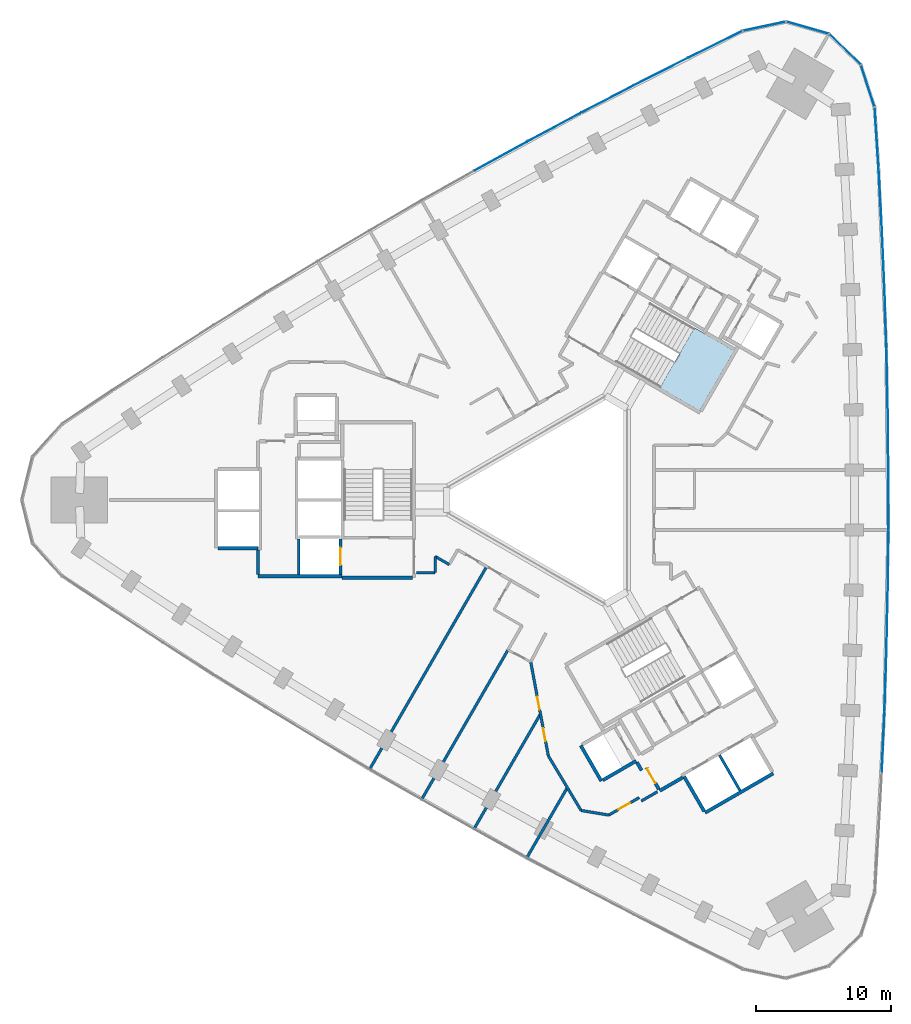
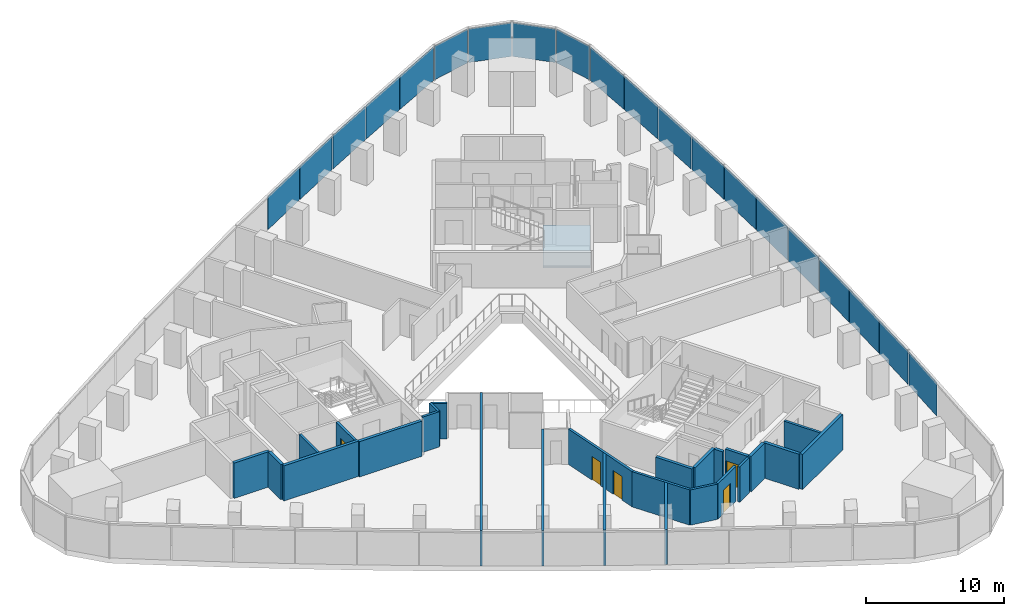
# One storey, part 8 of 13: 26 walls, 20 plates, 5 doors, 1 slab, 5 openings, 3 elements without a shape of their own.
"""IFC4 building model written with IfcOpenShell, lengths in metres."""

from ifc_helpers import new_model, si_unit, direction, frame, frame_2d, origin, origin_2d, place, context, subcontext, project, spatial, polyline, rectangle, outline, extrude, material, layer, layer_set, type_object, element, fill, aggregate, save


model = new_model("IFC4")

# Units and contexts
model_context = context("Model", 3, precision=1e-05, world=origin(), true_north=direction((0.0, 1.0)))
body_context = subcontext(model_context, "Body", "Model", "MODEL_VIEW")
ifc_project = project(units=[si_unit("LENGTHUNIT", "METRE"), si_unit("AREAUNIT", "SQUARE_METRE"), si_unit("VOLUMEUNIT", "CUBIC_METRE"), si_unit("PLANEANGLEUNIT", "RADIAN"), si_unit("MASSUNIT", "GRAM", prefix="KILO")], contexts=[model_context])

# Site, building, storey
site_placement = place(None, origin())
site = spatial("IfcSite", under=ifc_project, at=site_placement, CompositionType="ELEMENT")
building_placement = place(site_placement, origin())
building = spatial("IfcBuilding", under=site, at=building_placement, Name="Tamra Quay Hotel Tower", CompositionType="ELEMENT")
storey_placement = place(building_placement, frame((0.0, 0.0, 49.39990234375)))
storey = spatial("IfcBuildingStorey", under=building, at=storey_placement, Name="L10", CompositionType="ELEMENT", Elevation=49.39990234375)

# Stair, slab
ifc_material_1 = material(Name="Exit stair 2200 24 risers 150.0 going 342")
stair_type = type_object("IfcStairType", Name="Exit stair 2200 24 risers 150.0 going 342", PredefinedType="HALF_TURN_STAIR", material=ifc_material_1)
stair_placement = place(storey_placement, origin())
stair = element("IfcStair", 1, at=stair_placement, inside=storey, type_object=stair_type, Name="L10 Exit stair ST1", PredefinedType="HALF_TURN_STAIR")
ifc_material_2 = material(Name="Concrete M70", Category="concrete")
ifc_layer_1 = layer(ifc_material_2, 0.175048828125)
ifc_layer_set_1 = layer_set([ifc_layer_1], Name="Concrete M70 stair landing 180")
slab_type = type_object("IfcSlabType", Name="Concrete M70 stair landing 180", PredefinedType="LANDING", material=ifc_layer_set_1)
slab_placement = place(storey_placement, frame((0.0, 0.0, 1.625)))
slab = element("IfcSlab", 2, at=slab_placement, type_object=slab_type, Name="ST1 landing 1", PredefinedType="LANDING", context=body_context, shape_type="SweptSolid", body=[
    extrude(outline(polyline([(7.425048828125, 8.336669921875), (10.385009765625, 6.627685546875), (12.964599609375, 11.095458984375), (10.00439453125, 12.804443359375), (7.425048828125, 8.336669921875)])), origin(), (0.0, 0.0, 1.0), 0.175048828125),
])
aggregate(stair, [slab])

# Curtain wall, plates
ifc_material_3 = material(Name="Aluminium 6063 anodised dark grey", Category="aluminium")
curtain_wall_type_1 = type_object("IfcCurtainWallType", Name="CW1 CURTAIN WALL", PredefinedType="NOTDEFINED", material=ifc_material_3)
curtain_wall_1_placement = place(storey_placement, origin())
curtain_wall_1 = element("IfcCurtainWall", 3, at=curtain_wall_1_placement, inside=storey, type_object=curtain_wall_type_1, Name="CW1 east face L10", PredefinedType="NOTDEFINED")
ifc_material_4 = material(Name="Glass clear laminated low-iron", Category="glass")
ifc_layer_2 = layer(ifc_material_4, 0.035888671875)
ifc_layer_set_2 = layer_set([ifc_layer_2], Name="GLASS PANEL CW1 Z1")
plate_type_1 = type_object("IfcPlateType", Name="GLASS PANEL CW1 Z1", PredefinedType="CURTAIN_PANEL", material=ifc_layer_set_2)
plate_1_placement = place(storey_placement, frame((24.04052734375, -17.985107421875, 0.0), z_axis=(0.0, 0.0, 1.0), x_axis=(0.043285462035, 0.999062745165, 0.0)))
plate_1 = element("IfcPlate", 4, at=plate_1_placement, type_object=plate_type_1, Name="CW1 glass L10.E.3", PredefinedType="CURTAIN_PANEL", context=body_context, shape_type="SweptSolid", body=[
    extrude(rectangle(XDim=4.397216796875, YDim=0.035888671875, at=origin_2d()), origin(), (0.0, 0.0, 1.0), 2.985107421875),
])
plate_2_placement = place(storey_placement, frame((24.2109375, -13.490966796875, 0.0), z_axis=(0.0, 0.0, 1.0), x_axis=(0.032474799035, 0.999472554615, 0.0)))
plate_2 = element("IfcPlate", 5, at=plate_2_placement, type_object=plate_type_1, Name="CW1 glass L10.E.4", PredefinedType="CURTAIN_PANEL", context=body_context, shape_type="SweptSolid", body=[
    extrude(rectangle(XDim=4.397216796875, YDim=0.035888671875, at=origin_2d()), origin(), (0.0, 0.0, 1.0), 2.985107421875),
])
plate_3_placement = place(storey_placement, frame((24.332763671875, -8.99462890625, 0.0), z_axis=(0.0, 0.0, 1.0), x_axis=(0.021657440572, 0.999765450127, 0.0)))
plate_3 = element("IfcPlate", 6, at=plate_3_placement, type_object=plate_type_1, Name="CW1 glass L10.E.5", PredefinedType="CURTAIN_PANEL", context=body_context, shape_type="SweptSolid", body=[
    extrude(rectangle(XDim=4.39892578125, YDim=0.035888671875, at=origin_2d()), origin(), (0.0, 0.0, 1.0), 2.985107421875),
])
plate_4_placement = place(storey_placement, frame((24.40576171875, -4.4970703125, 0.0), z_axis=(0.0, 0.0, 1.0), x_axis=(0.010835825783, 0.999941290716, 0.0)))
plate_4 = element("IfcPlate", 7, at=plate_4_placement, type_object=plate_type_1, Name="CW1 glass L10.E.6", PredefinedType="CURTAIN_PANEL", context=body_context, shape_type="SweptSolid", body=[
    extrude(rectangle(XDim=4.397216796875, YDim=0.035888671875, at=origin_2d()), origin(), (0.0, 0.0, 1.0), 2.985107421875),
])
plate_5_placement = place(storey_placement, frame((24.43017578125, 0.0, 0.0), z_axis=(0.0, 0.0, 1.0), x_axis=(0.0, 1.0, 0.0)))
plate_5 = element("IfcPlate", 8, at=plate_5_placement, type_object=plate_type_1, Name="CW1 glass L10.E.7", PredefinedType="CURTAIN_PANEL", context=body_context, shape_type="SweptSolid", body=[
    extrude(rectangle(XDim=4.397216796875, YDim=0.035888671875, at=origin_2d()), origin(), (0.0, 0.0, 1.0), 2.985107421875),
])
plate_6_placement = place(storey_placement, frame((24.40576171875, 4.4970703125, 0.0), z_axis=(0.0, 0.0, 1.0), x_axis=(-0.010835825783, 0.999941290716, 0.0)))
plate_6 = element("IfcPlate", 9, at=plate_6_placement, type_object=plate_type_1, Name="CW1 glass L10.E.8", PredefinedType="CURTAIN_PANEL", context=body_context, shape_type="SweptSolid", body=[
    extrude(rectangle(XDim=4.397216796875, YDim=0.035888671875, at=origin_2d()), origin(), (0.0, 0.0, 1.0), 2.985107421875),
])
plate_7_placement = place(storey_placement, frame((24.332763671875, 8.99462890625, 0.0), z_axis=(0.0, 0.0, 1.0), x_axis=(-0.021657440572, 0.999765450127, 0.0)))
plate_7 = element("IfcPlate", 10, at=plate_7_placement, type_object=plate_type_1, Name="CW1 glass L10.E.9", PredefinedType="CURTAIN_PANEL", context=body_context, shape_type="SweptSolid", body=[
    extrude(rectangle(XDim=4.39892578125, YDim=0.035888671875, at=origin_2d()), origin(), (0.0, 0.0, 1.0), 2.985107421875),
])
plate_8_placement = place(storey_placement, frame((24.2109375, 13.490966796875, 0.0), z_axis=(0.0, 0.0, 1.0), x_axis=(-0.032474799035, 0.999472554615, 0.0)))
plate_8 = element("IfcPlate", 11, at=plate_8_placement, type_object=plate_type_1, Name="CW1 glass L10.E.10", PredefinedType="CURTAIN_PANEL", context=body_context, shape_type="SweptSolid", body=[
    extrude(rectangle(XDim=4.397216796875, YDim=0.035888671875, at=origin_2d()), origin(), (0.0, 0.0, 1.0), 2.985107421875),
])
plate_9_placement = place(storey_placement, frame((24.04052734375, 17.985107421875, 0.0), z_axis=(0.0, 0.0, 1.0), x_axis=(-0.043285462035, 0.999062745165, 0.0)))
plate_9 = element("IfcPlate", 12, at=plate_9_placement, type_object=plate_type_1, Name="CW1 glass L10.E.11", PredefinedType="CURTAIN_PANEL", context=body_context, shape_type="SweptSolid", body=[
    extrude(rectangle(XDim=4.397216796875, YDim=0.035888671875, at=origin_2d()), origin(), (0.0, 0.0, 1.0), 2.985107421875),
])
plate_10_placement = place(storey_placement, frame((23.821533203125, 22.477783203125, 0.0), z_axis=(0.0, 0.0, 1.0), x_axis=(-0.054062119595, 0.998537574268, 0.0)))
plate_10 = element("IfcPlate", 13, at=plate_10_placement, type_object=plate_type_1, Name="CW1 glass L10.E.12", PredefinedType="CURTAIN_PANEL", context=body_context, shape_type="SweptSolid", body=[
    extrude(rectangle(XDim=4.39892578125, YDim=0.035888671875, at=origin_2d()), origin(), (0.0, 0.0, 1.0), 2.985107421875),
])
plate_11_placement = place(storey_placement, frame((23.55419921875, 26.96728515625, 0.0), z_axis=(0.0, 0.0, 1.0), x_axis=(-0.064813097616, 0.997897420769, 0.0)))
plate_11 = element("IfcPlate", 14, at=plate_11_placement, type_object=plate_type_1, Name="CW1 glass L10.E.13", PredefinedType="CURTAIN_PANEL", context=body_context, shape_type="SweptSolid", body=[
    extrude(rectangle(XDim=4.396484375, YDim=0.035888671875, at=origin_2d()), origin(), (0.0, 0.0, 1.0), 2.985107421875),
])
plate_12_placement = place(storey_placement, frame((22.8974609375, 30.783447265625, 0.0), z_axis=(0.0, 0.0, 1.0), x_axis=(-0.309040551826, 0.951048861693, 0.0)))
plate_12 = element("IfcPlate", 15, at=plate_12_placement, type_object=plate_type_1, Name="CW1 glass L10.E.14", PredefinedType="CURTAIN_PANEL", context=body_context, shape_type="SweptSolid", body=[
    extrude(rectangle(XDim=3.207275390625, YDim=0.035888671875, at=origin_2d()), origin(), (0.0, 0.0, 1.0), 2.985107421875),
])
plate_13_placement = place(storey_placement, frame((21.197021484375, 33.5048828125, 0.0), z_axis=(0.0, 0.0, 1.0), x_axis=(-0.719345535851, 0.694652431113, 0.0)))
plate_13 = element("IfcPlate", 16, at=plate_13_placement, type_object=plate_type_1, Name="CW1 glass L10.E.15", PredefinedType="CURTAIN_PANEL", context=body_context, shape_type="SweptSolid", body=[
    extrude(rectangle(XDim=3.207275390625, YDim=0.035888671875, at=origin_2d()), origin(), (0.0, 0.0, 1.0), 2.985107421875),
])
plate_14_placement = place(storey_placement, frame((18.417724609375, 35.109619140625, 0.0), z_axis=(0.0, 0.0, 1.0), x_axis=(-0.96125942007, 0.275645292589, 0.0)))
plate_14 = element("IfcPlate", 17, at=plate_14_placement, type_object=plate_type_1, Name="CW1 glass L10.E.16", PredefinedType="CURTAIN_PANEL", context=body_context, shape_type="SweptSolid", body=[
    extrude(rectangle(XDim=3.207275390625, YDim=0.035888671875, at=origin_2d()), origin(), (0.0, 0.0, 1.0), 2.985107421875),
])
plate_15_placement = place(storey_placement, frame((15.210693359375, 35.2216796875, 0.0), z_axis=(0.0, 0.0, 1.0), x_axis=(-0.978152750379, -0.207887462165, 0.0)))
plate_15 = element("IfcPlate", 18, at=plate_15_placement, type_object=plate_type_1, Name="CW1 glass L10.E.17", PredefinedType="CURTAIN_PANEL", context=body_context, shape_type="SweptSolid", body=[
    extrude(rectangle(XDim=3.207275390625, YDim=0.035888671875, at=origin_2d()), origin(), (0.0, 0.0, 1.0), 2.985107421875),
])
aggregate(curtain_wall_1, [plate_1, plate_2, plate_3, plate_4, plate_5, plate_6, plate_7, plate_8, plate_9, plate_10, plate_11, plate_12, plate_13, plate_14, plate_15])

curtain_wall_type_2 = type_object("IfcCurtainWallType", Name="CW2 CURTAIN WALL", PredefinedType="NOTDEFINED", material=ifc_material_3)
curtain_wall_2_placement = place(storey_placement, origin())
curtain_wall_2 = element("IfcCurtainWall", 19, at=curtain_wall_2_placement, inside=storey, type_object=curtain_wall_type_2, Name="CW2 north-west face L10", PredefinedType="NOTDEFINED")
ifc_layer_3 = layer(ifc_material_4, 0.035888671875)
ifc_layer_set_3 = layer_set([ifc_layer_3], Name="GLASS PANEL CW2 Z1")
plate_type_2 = type_object("IfcPlateType", Name="GLASS PANEL CW2 Z1", PredefinedType="CURTAIN_PANEL", material=ifc_layer_set_3)
plate_16_placement = place(storey_placement, frame((11.5771484375, 33.88232421875, 0.0), z_axis=(0.0, 0.0, 1.0), x_axis=(-0.896611065565, -0.442818921351, 0.0)))
plate_16 = element("IfcPlate", 20, at=plate_16_placement, type_object=plate_type_2, Name="CW2 glass L10.NW.1", PredefinedType="CURTAIN_PANEL", context=body_context, shape_type="SweptSolid", body=[
    extrude(rectangle(XDim=4.396484375, YDim=0.035888671875, at=origin_2d()), origin(), (0.0, 0.0, 1.0), 2.985107421875),
])
plate_17_placement = place(storey_placement, frame((7.555419921875, 31.868896484375, 0.0), z_axis=(0.0, 0.0, 1.0), x_axis=(-0.891789965747, -0.452449618182, 0.0)))
plate_17 = element("IfcPlate", 21, at=plate_17_placement, type_object=plate_type_2, Name="CW2 glass L10.NW.2", PredefinedType="CURTAIN_PANEL", context=body_context, shape_type="SweptSolid", body=[
    extrude(rectangle(XDim=4.39892578125, YDim=0.035888671875, at=origin_2d()), origin(), (0.0, 0.0, 1.0), 2.985107421875),
])
plate_18_placement = place(storey_placement, frame((3.55517578125, 29.812255859375, 0.0), z_axis=(0.0, 0.0, 1.0), x_axis=(-0.886856448305, -0.462045062846, 0.0)))
plate_18 = element("IfcPlate", 22, at=plate_18_placement, type_object=plate_type_2, Name="CW2 glass L10.NW.3", PredefinedType="CURTAIN_PANEL", context=body_context, shape_type="SweptSolid", body=[
    extrude(rectangle(XDim=4.397216796875, YDim=0.035888671875, at=origin_2d()), origin(), (0.0, 0.0, 1.0), 2.985107421875),
])
plate_19_placement = place(storey_placement, frame((-0.421875, 27.712890625, 0.0), z_axis=(0.0, 0.0, 1.0), x_axis=(-0.881806022199, -0.47161227636, 0.0)))
plate_19 = element("IfcPlate", 23, at=plate_19_placement, type_object=plate_type_2, Name="CW2 glass L10.NW.4", PredefinedType="CURTAIN_PANEL", context=body_context, shape_type="SweptSolid", body=[
    extrude(rectangle(XDim=4.397216796875, YDim=0.035888671875, at=origin_2d()), origin(), (0.0, 0.0, 1.0), 2.985107421875),
])
plate_20_placement = place(storey_placement, frame((-4.376708984375, 25.570068359375, 0.0), z_axis=(0.0, 0.0, 1.0), x_axis=(-0.876650997922, -0.481126831347, 0.0)))
plate_20 = element("IfcPlate", 24, at=plate_20_placement, type_object=plate_type_2, Name="CW2 glass L10.NW.5", PredefinedType="CURTAIN_PANEL", context=body_context, shape_type="SweptSolid", body=[
    extrude(rectangle(XDim=4.39892578125, YDim=0.035888671875, at=origin_2d()), origin(), (0.0, 0.0, 1.0), 2.985107421875),
])
aggregate(curtain_wall_2, [plate_16, plate_17, plate_18, plate_19, plate_20])

# Wall, opening, door
ifc_layer_4 = layer(ifc_material_2, 0.199951171875)
ifc_layer_set_4 = layer_set([ifc_layer_4], Name="Concrete M70 core wall 200")
wall_type_1 = type_object("IfcWallType", Name="Concrete M70 core wall 200", PredefinedType="SHEAR", material=ifc_layer_set_4)
wall_1_placement = place(storey_placement, frame((-16.312255859375, -2.898193359375, 0.0), z_axis=(0.0, 0.0, 1.0), x_axis=(0.0, -1.0, 0.0)))
wall_1 = element("IfcWall", 25, at=wall_1_placement, inside=storey, type_object=wall_type_1, Name="CW2", PredefinedType="SHEAR", context=body_context, shape_type="SweptSolid", body=[
    extrude(rectangle(XDim=2.65087890625, YDim=0.199951171875, at=frame_2d((1.325439453125, 0.0))), origin(), (0.0, 0.0, 1.0), 3.125),
])
opening_1_placement = place(wall_1_placement, frame((0.65185546875, 0.0, 0.0)))
opening_1 = element("IfcOpeningElement", 26, at=opening_1_placement, cuts=wall_1, Name="Opening LD", PredefinedType="OPENING", context=body_context, shape_type="SweptSolid", body=[
    extrude(rectangle(XDim=1.300048828125, YDim=2.10009765625, at=frame_2d((0.64990234375, 1.050048828125))), frame((0.0, 0.10986328125, 0.0), z_axis=(0.0, -1.0, 0.0), x_axis=(1.0, 0.0, 0.0)), (0.0, 0.0, 1.0), 0.219970703125),
])
ifc_material_5 = material(Name="Landing door LD 1300 sliding to right")
door_type_1 = type_object("IfcDoorType", Name="Landing door LD 1300 sliding to right", OperationType="NOTDEFINED", PredefinedType="DOOR", material=ifc_material_5)
door_1_placement = place(opening_1_placement, origin())
door_1 = element("IfcDoor", 27, at=door_1_placement, inside=storey, type_object=door_type_1, Name="LD", OperationType="SLIDING_TO_RIGHT", OverallHeight=2.10009765625, OverallWidth=1.300048828125, PredefinedType="DOOR", context=body_context, shape_type="SweptSolid", body=[
    extrude(rectangle(XDim=1.300048828125, YDim=2.10009765625, at=frame_2d((0.64990234375, 1.050048828125))), frame((0.0, 0.02490234375, 0.0), z_axis=(0.0, -1.0, 0.0), x_axis=(1.0, 0.0, 0.0)), (0.0, 0.0, 1.0), 0.050048828125),
])
fill(opening_1, door_1)

# Walls
wall_2_placement = place(storey_placement, frame((-19.412353515625, -5.549072265625, 0.0), z_axis=(0.0, 0.0, 1.0), x_axis=(0.0, 1.0, 0.0)))
element("IfcWall", 28, at=wall_2_placement, inside=storey, type_object=wall_type_1, Name="CW2", PredefinedType="SHEAR", context=body_context, shape_type="SweptSolid", body=[
    extrude(rectangle(XDim=2.65087890625, YDim=0.199951171875, at=frame_2d((1.325439453125, 0.0))), origin(), (0.0, 0.0, 1.0), 3.125),
])
wall_3_placement = place(storey_placement, frame((11.87451171875, -18.967041015625, 0.0), z_axis=(0.0, 0.0, 1.0), x_axis=(0.49998131003, -0.866036194175, 0.0)))
element("IfcWall", 29, at=wall_3_placement, inside=storey, type_object=wall_type_1, Name="CW2", PredefinedType="SHEAR", context=body_context, shape_type="SweptSolid", body=[
    extrude(rectangle(XDim=3.0478515625, YDim=0.199951171875, at=frame_2d((1.52392578125, 0.0))), origin(), (0.0, 0.0, 1.0), 3.125),
])
ifc_layer_5 = layer(ifc_material_2, 0.25)
ifc_layer_set_5 = layer_set([ifc_layer_5], Name="Concrete M70 core wall 250")
wall_type_2 = type_object("IfcWallType", Name="Concrete M70 core wall 250", PredefinedType="SHEAR", material=ifc_layer_set_5)
wall_4_placement = place(storey_placement, frame((-16.187255859375, -5.675048828125, 0.0), z_axis=(0.0, 0.0, 1.0), x_axis=(-1.0, 0.0, 0.0)))
element("IfcWall", 30, at=wall_4_placement, inside=storey, type_object=wall_type_2, Name="CW1", PredefinedType="SHEAR", context=body_context, shape_type="SweptSolid", body=[
    extrude(rectangle(XDim=6.25, YDim=0.25, at=frame_2d((3.125, 0.0))), origin(), (0.0, 0.0, 1.0), 3.125),
])
wall_5_placement = place(storey_placement, frame((-10.962646484375, -5.77490234375, 0.0), z_axis=(0.0, 0.0, 1.0), x_axis=(-1.0, 0.0, 0.0)))
element("IfcWall", 31, at=wall_5_placement, inside=storey, type_object=wall_type_2, Name="CW1", PredefinedType="SHEAR", context=body_context, shape_type="SweptSolid", body=[
    extrude(rectangle(XDim=5.224609375, YDim=0.25, at=frame_2d((2.6123046875, 0.0))), origin(), (0.0, 0.0, 1.0), 3.125),
])
wall_6_placement = place(storey_placement, frame((-22.437255859375, -3.574951171875, 0.0), z_axis=(0.0, 0.0, 1.0), x_axis=(-1.0, 0.0, 0.0)))
element("IfcWall", 32, at=wall_6_placement, inside=storey, type_object=wall_type_2, Name="CW1", PredefinedType="SHEAR", context=body_context, shape_type="SweptSolid", body=[
    extrude(rectangle(XDim=2.974609375, YDim=0.25, at=frame_2d((1.4873046875, 0.0))), origin(), (0.0, 0.0, 1.0), 3.125),
])
wall_7_placement = place(storey_placement, frame((-22.437255859375, -5.549560546875, 0.0), z_axis=(0.0, 0.0, 1.0), x_axis=(0.0, 1.0, 0.0)))
element("IfcWall", 33, at=wall_7_placement, inside=storey, type_object=wall_type_2, Name="CW1", PredefinedType="SHEAR", context=body_context, shape_type="SweptSolid", body=[
    extrude(rectangle(XDim=1.84912109375, YDim=0.25, at=frame_2d((0.924560546875, 0.0))), origin(), (0.0, 0.0, 1.0), 3.125),
])
wall_8_placement = place(storey_placement, frame((15.86474609375, -20.328369140625, 0.0), z_axis=(0.0, 0.0, 1.0), x_axis=(-0.86602852612, -0.499994591916, 0.0)))
element("IfcWall", 34, at=wall_8_placement, inside=storey, type_object=wall_type_2, Name="CW1", PredefinedType="SHEAR", context=body_context, shape_type="SweptSolid", body=[
    extrude(rectangle(XDim=5.85009765625, YDim=0.25, at=frame_2d((2.925048828125, 0.0))), origin(), (0.0, 0.0, 1.0), 3.125),
])
wall_9_placement = place(storey_placement, frame((10.73583984375, -23.144775390625, 0.0), z_axis=(0.0, 0.0, 1.0), x_axis=(-0.500023226632, 0.866011993467, 0.0)))
element("IfcWall", 35, at=wall_9_placement, inside=storey, type_object=wall_type_2, Name="CW1", PredefinedType="SHEAR", context=body_context, shape_type="SweptSolid", body=[
    extrude(rectangle(XDim=2.974365234375, YDim=0.25, at=frame_2d((1.4873046875, 0.0))), origin(), (0.0, 0.0, 1.0), 3.125),
])
wall_10_placement = place(storey_placement, frame((3.085205078125, -20.893798828125, 0.0), z_axis=(0.0, 0.0, 1.0), x_axis=(-0.499978833458, 0.866037623948, 0.0)))
element("IfcWall", 36, at=wall_10_placement, inside=storey, type_object=wall_type_2, Name="CW1", PredefinedType="SHEAR", context=body_context, shape_type="SweptSolid", body=[
    extrude(rectangle(XDim=3.050048828125, YDim=0.25, at=frame_2d((1.52490234375, 0.0))), origin(), (0.0, 0.0, 1.0), 3.125),
])
wall_11_placement = place(storey_placement, frame((5.6748046875, -19.39892578125, 0.0), z_axis=(0.0, 0.0, 1.0), x_axis=(-0.866026637627, -0.499997862916, 0.0)))
element("IfcWall", 37, at=wall_11_placement, inside=storey, type_object=wall_type_2, Name="CW1", PredefinedType="SHEAR", context=body_context, shape_type="SweptSolid", body=[
    extrude(rectangle(XDim=2.86474609375, YDim=0.25, at=frame_2d((1.432373046875, 0.0))), origin(), (0.0, 0.0, 1.0), 3.125),
])
wall_12_placement = place(storey_placement, frame((9.139892578125, -20.63134765625, 0.0), z_axis=(0.0, 0.0, 1.0), x_axis=(-0.866043531843, -0.499968599967, 0.0)))
element("IfcWall", 38, at=wall_12_placement, inside=storey, type_object=wall_type_2, Name="CW1", PredefinedType="SHEAR", context=body_context, shape_type="SweptSolid", body=[
    extrude(rectangle(XDim=1.974853515625, YDim=0.25, at=frame_2d((0.9873046875, 0.0))), origin(), (0.0, 0.0, 1.0), 3.125),
])

# Wall, opening, door
wall_13_placement = place(storey_placement, frame((7.3671875, -21.51025390625, 0.0), z_axis=(0.0, 0.0, 1.0), x_axis=(-0.499983108224, 0.866035156036, 0.0)))
wall_13 = element("IfcWall", 39, at=wall_13_placement, inside=storey, type_object=wall_type_2, Name="CW1", PredefinedType="SHEAR", context=body_context, shape_type="SweptSolid", body=[
    extrude(rectangle(XDim=1.86474609375, YDim=0.25, at=frame_2d((0.932373046875, 0.0))), origin(), (0.0, 0.0, 1.0), 3.125),
])
opening_2_placement = place(wall_13_placement, frame((0.53466796875, 0.0, 0.0)))
opening_2 = element("IfcOpeningElement", 40, at=opening_2_placement, cuts=wall_13, Name="Opening FD3", PredefinedType="OPENING", context=body_context, shape_type="SweptSolid", body=[
    extrude(rectangle(XDim=1.25, YDim=2.10009765625, at=frame_2d((0.625, 1.050048828125))), frame((0.0, 0.135009765625, 0.0), z_axis=(0.0, -1.0, 0.0), x_axis=(1.0, 0.0, 0.0)), (0.0, 0.0, 1.0), 0.27001953125),
])
ifc_material_6 = material(Name="Core door FD3 1250x2100 LH")
door_type_2 = type_object("IfcDoorType", Name="Core door FD3 1250x2100 LH", OperationType="NOTDEFINED", PredefinedType="DOOR", material=ifc_material_6)
door_2_placement = place(opening_2_placement, origin())
door_2 = element("IfcDoor", 41, at=door_2_placement, inside=storey, type_object=door_type_2, Name="FD3", OperationType="SINGLE_SWING_LEFT", OverallHeight=2.10009765625, OverallWidth=1.25, PredefinedType="DOOR", context=body_context, shape_type="SweptSolid", body=[
    extrude(rectangle(XDim=1.25, YDim=2.10009765625, at=frame_2d((0.625, 1.050048828125))), frame((0.0, 0.02490234375, 0.0), z_axis=(0.0, -1.0, 0.0), x_axis=(1.0, 0.0, 0.0)), (0.0, 0.0, 1.0), 0.050048828125),
])
fill(opening_2, door_2)

# Walls
wall_14_placement = place(storey_placement, frame((6.07958984375, -20.100341796875, 0.0), z_axis=(0.0, 0.0, 1.0), x_axis=(-0.500051773299, 0.865995510393, 0.0)))
element("IfcWall", 42, at=wall_14_placement, inside=storey, type_object=wall_type_2, Name="CW1", PredefinedType="SHEAR", context=body_context, shape_type="SweptSolid", body=[
    extrude(rectangle(XDim=0.6845703125, YDim=0.25, at=frame_2d((0.34228515625, 0.0))), origin(), (0.0, 0.0, 1.0), 3.125),
])
ifc_material_7 = material(Name="Partition corridor wall")
ifc_layer_6 = layer(ifc_material_7, 0.199951171875)
ifc_layer_set_6 = layer_set([ifc_layer_6], Name="Partition corridor wall")
wall_type_3 = type_object("IfcWallType", Name="Partition corridor wall", PredefinedType="PARTITIONING", material=ifc_layer_set_6)
wall_15_placement = place(storey_placement, frame((-10.65234375, -5.39990234375, 0.0), z_axis=(0.0, 0.0, 1.0), x_axis=(1.0, 0.0, 0.0)))
element("IfcWall", 43, at=wall_15_placement, inside=storey, type_object=wall_type_3, Name="W-C", PredefinedType="PARTITIONING", context=body_context, shape_type="SweptSolid", body=[
    extrude(rectangle(XDim=1.390380859375, YDim=0.199951171875, at=frame_2d((0.6953125, 0.0))), origin(), (0.0, 0.0, 1.0), 3.125),
])
for number, where, z_axis, x_axis, name in (
    (44, (-9.261962890625, -5.39990234375, 0.0), (0.0, 0.0, 1.0), (0.0, 1.0, 0.0), "W-C"),
    (45, (-9.261962890625, -4.199951171875, 0.0), (0.0, 0.0, 1.0), (0.865955154139, -0.50012165622, 0.0), "W-C"),
):
    element("IfcWall", number, at=place(storey_placement, frame(where, z_axis=z_axis, x_axis=x_axis)), inside=storey, type_object=wall_type_3, Name=name, PredefinedType="PARTITIONING", context=body_context, shape_type="SweptSolid", body=[
        extrude(rectangle(XDim=1.199951171875, YDim=0.199951171875, at=frame_2d((0.60009765625, 0.0))), origin(), (0.0, 0.0, 1.0), 3.125),
    ])

# Wall, openings, doors
wall_16_placement = place(storey_placement, frame((-2.162109375, -12.0419921875, 0.0), z_axis=(0.0, 0.0, 1.0), x_axis=(0.183949825522, -0.982935634561, 0.0)))
wall_16 = element("IfcWall", 46, at=wall_16_placement, inside=storey, type_object=wall_type_3, Name="W-C", PredefinedType="PARTITIONING", context=body_context, shape_type="SweptSolid", body=[
    extrude(rectangle(XDim=7.093994140625, YDim=0.199951171875, at=frame_2d((3.546875, 0.0))), origin(), (0.0, 0.0, 1.0), 3.125),
])
opening_3_placement = place(wall_16_placement, frame((2.64990234375, 0.0, 0.0)))
opening_3 = element("IfcOpeningElement", 47, at=opening_3_placement, cuts=wall_16, Name="Opening L10-D015", PredefinedType="OPENING", context=body_context, shape_type="SweptSolid", body=[
    extrude(rectangle(XDim=0.949951171875, YDim=2.10009765625, at=frame_2d((0.47509765625, 1.050048828125))), frame((0.0, 0.10986328125, 0.0), z_axis=(0.0, -1.0, 0.0), x_axis=(1.0, 0.0, 0.0)), (0.0, 0.0, 1.0), 0.219970703125),
])
opening_4_placement = place(wall_16_placement, frame((5.005859375, 0.0, 0.0)))
opening_4 = element("IfcOpeningElement", 48, at=opening_4_placement, cuts=wall_16, Name="Opening L10-D017", PredefinedType="OPENING", context=body_context, shape_type="SweptSolid", body=[
    extrude(rectangle(XDim=1.0, YDim=2.10009765625, at=frame_2d((0.5, 1.050048828125))), frame((0.0, 0.10986328125, 0.0), z_axis=(0.0, -1.0, 0.0), x_axis=(1.0, 0.0, 0.0)), (0.0, 0.0, 1.0), 0.219970703125),
])
ifc_material_8 = material(Name="Door guest room 1000x2100")
door_type_3 = type_object("IfcDoorType", Name="Door guest room 1000x2100", OperationType="NOTDEFINED", PredefinedType="DOOR", material=ifc_material_8)
door_3_placement = place(opening_4_placement, frame((1.0, 0.0, 0.0), z_axis=(0.0, 0.0, 1.0), x_axis=(-1.0, 0.0, 0.0)))
door_3 = element("IfcDoor", 49, at=door_3_placement, inside=storey, type_object=door_type_3, Name="L10-D017", OperationType="SINGLE_SWING_LEFT", OverallHeight=2.10009765625, OverallWidth=1.0, PredefinedType="DOOR", context=body_context, shape_type="SweptSolid", body=[
    extrude(rectangle(XDim=1.0, YDim=2.10009765625, at=frame_2d((0.5, 1.050048828125))), frame((0.0, 0.02490234375, 0.0), z_axis=(0.0, -1.0, 0.0), x_axis=(1.0, 0.0, 0.0)), (0.0, 0.0, 1.0), 0.050048828125),
])
fill(opening_4, door_3)
ifc_material_9 = material(Name="Door guest room 950x2100")
door_type_4 = type_object("IfcDoorType", Name="Door guest room 950x2100", OperationType="NOTDEFINED", PredefinedType="DOOR", material=ifc_material_9)
door_4_placement = place(opening_3_placement, frame((0.949951171875, 0.0, 0.0), z_axis=(0.0, 0.0, 1.0), x_axis=(-1.0, 0.0, 0.0)))
door_4 = element("IfcDoor", 50, at=door_4_placement, inside=storey, type_object=door_type_4, Name="L10-D015", OperationType="SINGLE_SWING_LEFT", OverallHeight=2.10009765625, OverallWidth=0.949951171875, PredefinedType="DOOR", context=body_context, shape_type="SweptSolid", body=[
    extrude(rectangle(XDim=0.949951171875, YDim=2.10009765625, at=frame_2d((0.47509765625, 1.050048828125))), frame((0.0, 0.02490234375, 0.0), z_axis=(0.0, -1.0, 0.0), x_axis=(1.0, 0.0, 0.0)), (0.0, 0.0, 1.0), 0.050048828125),
])
fill(opening_3, door_4)

# Walls
wall_17_placement = place(storey_placement, frame((-0.85791015625, -19.01708984375, 0.0), z_axis=(0.0, 0.0, 1.0), x_axis=(0.514647068805, -0.857402119528, 0.0)))
element("IfcWall", 51, at=wall_17_placement, inside=storey, type_object=wall_type_3, Name="W-C", PredefinedType="PARTITIONING", context=body_context, shape_type="SweptSolid", body=[
    extrude(rectangle(XDim=4.745361328125, YDim=0.199951171875, at=frame_2d((2.37255859375, 0.0))), origin(), (0.0, 0.0, 1.0), 3.125),
])
wall_18_placement = place(storey_placement, frame((1.583984375, -23.0859375, 0.0), z_axis=(0.0, 0.0, 1.0), x_axis=(0.986633159246, -0.162957077405, 0.0)))
element("IfcWall", 52, at=wall_18_placement, inside=storey, type_object=wall_type_3, Name="W-C", PredefinedType="PARTITIONING", context=body_context, shape_type="SweptSolid", body=[
    extrude(rectangle(XDim=2.0869140625, YDim=0.199951171875, at=frame_2d((1.04345703125, 0.0))), origin(), (0.0, 0.0, 1.0), 3.125),
])

# Wall, opening, door
wall_19_placement = place(storey_placement, frame((3.64306640625, -23.426025390625, 0.0), z_axis=(0.0, 0.0, 1.0), x_axis=(0.866654350985, 0.498909045738, 0.0)))
wall_19 = element("IfcWall", 53, at=wall_19_placement, inside=storey, type_object=wall_type_3, Name="W-C", PredefinedType="PARTITIONING", context=body_context, shape_type="SweptSolid", body=[
    extrude(rectangle(XDim=2.607666015625, YDim=0.199951171875, at=frame_2d((1.3037109375, 0.0))), origin(), (0.0, 0.0, 1.0), 3.125),
])
opening_5_placement = place(wall_19_placement, frame((0.803955078125, 0.0, 0.0)))
opening_5 = element("IfcOpeningElement", 54, at=opening_5_placement, cuts=wall_19, Name="Opening L10-D018", PredefinedType="OPENING", context=body_context, shape_type="SweptSolid", body=[
    extrude(rectangle(XDim=1.0, YDim=2.10009765625, at=frame_2d((0.5, 1.050048828125))), frame((0.0, 0.10986328125, 0.0), z_axis=(0.0, -1.0, 0.0), x_axis=(1.0, 0.0, 0.0)), (0.0, 0.0, 1.0), 0.219970703125),
])
door_5_placement = place(opening_5_placement, frame((1.0, 0.0, 0.0), z_axis=(0.0, 0.0, 1.0), x_axis=(-1.0, 0.0, 0.0)))
door_5 = element("IfcDoor", 55, at=door_5_placement, inside=storey, type_object=door_type_3, Name="L10-D018", OperationType="SINGLE_SWING_LEFT", OverallHeight=2.10009765625, OverallWidth=1.0, PredefinedType="DOOR", context=body_context, shape_type="SweptSolid", body=[
    extrude(rectangle(XDim=1.0, YDim=2.10009765625, at=frame_2d((0.5, 1.050048828125))), frame((0.0, 0.02490234375, 0.0), z_axis=(0.0, -1.0, 0.0), x_axis=(1.0, 0.0, 0.0)), (0.0, 0.0, 1.0), 0.050048828125),
])
fill(opening_5, door_5)

# Walls
wall_20_placement = place(storey_placement, frame((6.053955078125, -22.385009765625, 0.0), z_axis=(0.0, 0.0, 1.0), x_axis=(0.86593101922, 0.500163443238, 0.0)))
element("IfcWall", 56, at=wall_20_placement, inside=storey, type_object=wall_type_3, Name="W-C", PredefinedType="PARTITIONING", context=body_context, shape_type="SweptSolid", body=[
    extrude(rectangle(XDim=1.3896484375, YDim=0.199951171875, at=frame_2d((0.69482421875, 0.0))), origin(), (0.0, 0.0, 1.0), 3.125),
])
ifc_material_10 = material(Name="Partition party wall")
ifc_layer_7 = layer(ifc_material_10, 0.199951171875)
ifc_layer_set_7 = layer_set([ifc_layer_7], Name="Partition party wall")
wall_type_4 = type_object("IfcWallType", Name="Partition party wall", PredefinedType="PARTITIONING", material=ifc_layer_set_7)
wall_21_placement = place(storey_placement, frame((-14.14794921875, -20.035400390625, 0.0), z_axis=(0.0, 0.0, 1.0), x_axis=(0.499978771293, 0.866037659837, 0.0)))
element("IfcWall", 57, at=wall_21_placement, inside=storey, type_object=wall_type_4, Name="W-P", PredefinedType="PARTITIONING", context=body_context, shape_type="SweptSolid", body=[
    extrude(rectangle(XDim=17.424560546875, YDim=0.199951171875, at=frame_2d((8.71240234375, 0.0))), origin(), (0.0, 0.0, 1.0), 3.125),
])
wall_22_placement = place(storey_placement, frame((-10.2763671875, -22.2705078125, 0.0), z_axis=(0.0, 0.0, 1.0), x_axis=(0.499984478165, 0.866034365135, 0.0)))
element("IfcWall", 58, at=wall_22_placement, inside=storey, type_object=wall_type_4, Name="W-P", PredefinedType="PARTITIONING", context=body_context, shape_type="SweptSolid", body=[
    extrude(rectangle(XDim=12.85107421875, YDim=0.199951171875, at=frame_2d((6.425537109375, 0.0))), origin(), (0.0, 0.0, 1.0), 3.125),
])
wall_23_placement = place(storey_placement, frame((-6.38134765625, -24.463623046875, 0.0), z_axis=(0.0, 0.0, 1.0), x_axis=(0.500007577232, 0.866021029023, 0.0)))
element("IfcWall", 59, at=wall_23_placement, inside=storey, type_object=wall_type_4, Name="W-P", PredefinedType="PARTITIONING", context=body_context, shape_type="SweptSolid", body=[
    extrude(rectangle(XDim=9.882568359375, YDim=0.199951171875, at=frame_2d((4.94140625, 0.0))), origin(), (0.0, 0.0, 1.0), 3.125),
])
wall_24_placement = place(storey_placement, frame((-2.46240234375, -26.614990234375, 0.0), z_axis=(0.0, 0.0, 1.0), x_axis=(0.49992636536, 0.86606791259, 0.0)))
element("IfcWall", 60, at=wall_24_placement, inside=storey, type_object=wall_type_4, Name="W-P", PredefinedType="PARTITIONING", context=body_context, shape_type="SweptSolid", body=[
    extrude(rectangle(XDim=6.0458984375, YDim=0.199951171875, at=frame_2d((3.02294921875, 0.0))), origin(), (0.0, 0.0, 1.0), 3.125),
])

save(model, "model.ifc")
